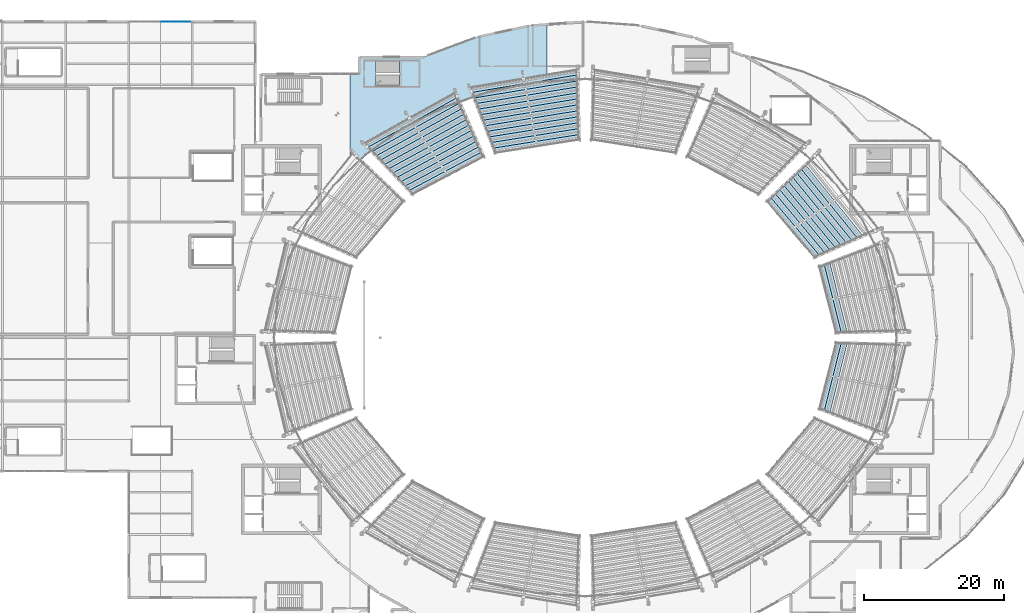
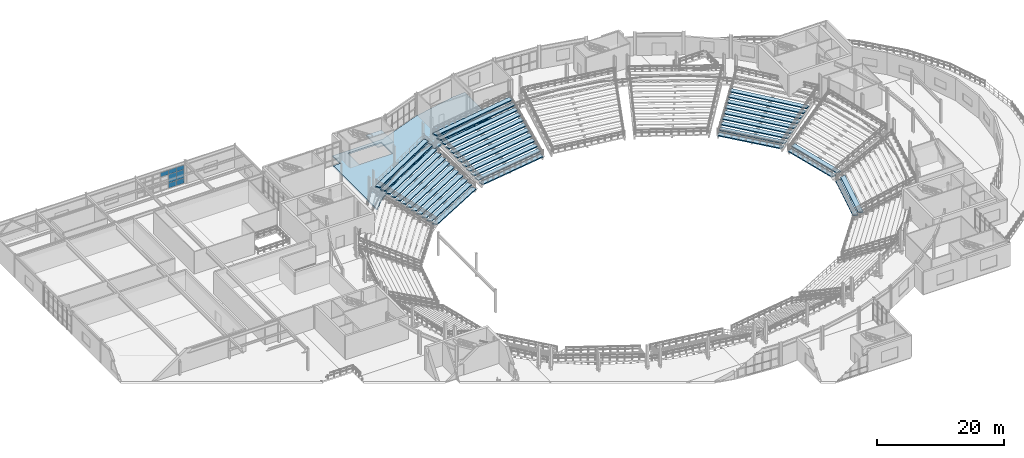
# One storey, part 49 of 81: 39 slabs, 7 plates, 2 elements without a shape of their own.
"""IFC4 building model written with IfcOpenShell, lengths in metres."""

import ifcopenshell
import ifcopenshell.guid

model = None  # the IFC model being written
_history = None  # IfcOwnerHistory: only IFC2X3 demands one
_inside = {}  # id of a spatial element -> (the spatial element, [elements in it])
_under = {}  # id of a project, library or spatial element -> (it, [spatial elements below it])
_declared = {}  # id of a project -> (the project, [libraries it declares])
_typed = {}  # id of a type object -> (the type object, [elements of that type])
_made_of = {}  # id of a material, layer set ... -> (it, [elements and type objects made of it])


def new_model(schema):
    """Start an empty IFC model of exactly this schema.

    Asked for "IFC4X3", IfcOpenShell would pick the latest addendum, in which some entities
    have other attributes; the version numbers below select the first issue.
    IFC2X3 requires an IfcOwnerHistory on every rooted entity: one is made here for all.
    """
    global model, _history
    if schema == "IFC4X3":
        model = ifcopenshell.file(schema_version=(4, 3, 0, 0))
    else:
        model = ifcopenshell.file(schema=schema)
    _inside.clear()
    _under.clear()
    _declared.clear()
    _typed.clear()
    _made_of.clear()
    _history = None
    if model.schema == "IFC2X3":
        org = make("IfcOrganization", Name="unknown")
        user = make(
            "IfcPersonAndOrganization",
            ThePerson=make("IfcPerson", FamilyName="unknown"),
            TheOrganization=org,
        )
        app = make(
            "IfcApplication",
            ApplicationDeveloper=org,
            Version="unknown",
            ApplicationFullName="unknown",
            ApplicationIdentifier="unknown",
        )
        _history = make(
            "IfcOwnerHistory",
            OwningUser=user,
            OwningApplication=app,
            ChangeAction="ADDED",
            CreationDate=0,
        )
    return model


def make(cls, **values):
    """One entity of the class cls with the attributes given. An attribute that is None is left unset."""
    return model.create_entity(
        cls, **{name: value for name, value in values.items() if value is not None}
    )


def rooted(cls, **values):
    """An entity with a GlobalId (a new one), such as an element, a storey or a relation."""
    return make(cls, GlobalId=ifcopenshell.guid.new(), OwnerHistory=_history, **values)


def si_unit(unit_type, name, prefix=None):
    """IfcSIUnit, for example si_unit("LENGTHUNIT", "METRE", prefix="MILLI")."""
    return make("IfcSIUnit", UnitType=unit_type, Prefix=prefix, Name=name)


def assignment(units):
    """IfcUnitAssignment: the units of a project."""
    return None if units is None else make("IfcUnitAssignment", Units=units)


def point(xyz):
    """IfcCartesianPoint."""
    return None if xyz is None else make("IfcCartesianPoint", Coordinates=xyz)


def direction(xyz):
    """IfcDirection."""
    return None if xyz is None else make("IfcDirection", DirectionRatios=xyz)


def frame(location, z_axis=None, x_axis=None):
    """IfcAxis2Placement3D, a coordinate frame: its origin and axes. An axis left out is left unset."""
    return make(
        "IfcAxis2Placement3D",
        Location=point(location),
        Axis=direction(z_axis),
        RefDirection=direction(x_axis),
    )


def frame_2d(location, x_axis=None):
    """IfcAxis2Placement2D, a coordinate frame in the plane: its origin and x axis."""
    return make(
        "IfcAxis2Placement2D", Location=point(location), RefDirection=direction(x_axis)
    )


def origin():
    """The frame at (0, 0, 0) with its axes left unset."""
    return frame((0.0, 0.0, 0.0))


def origin_2d():
    """The frame at (0, 0) in the plane with its x axis left unset."""
    return frame_2d((0.0, 0.0))


def place(relative_to, where):
    """IfcLocalPlacement: puts the frame where relative to a parent placement (None: the world)."""
    return make(
        "IfcLocalPlacement", PlacementRelTo=relative_to, RelativePlacement=where
    )


def context(
    kind, dimensions, precision=None, world=None, true_north=None, identifier=None
):
    """IfcGeometricRepresentationContext, for example the 3D "Model" context."""
    return make(
        "IfcGeometricRepresentationContext",
        ContextIdentifier=identifier,
        ContextType=kind,
        CoordinateSpaceDimension=dimensions,
        Precision=precision,
        WorldCoordinateSystem=world,
        TrueNorth=true_north,
    )


def subcontext(parent, identifier, kind, view, scale=None):
    """IfcGeometricRepresentationSubContext, for example "Body" below "Model"."""
    return make(
        "IfcGeometricRepresentationSubContext",
        ContextIdentifier=identifier,
        ContextType=kind,
        ParentContext=parent,
        TargetScale=scale,
        TargetView=view,
    )


def project(units=None, contexts=None):
    """IfcProject with its units and contexts."""
    return rooted(
        "IfcProject",
        Name="project",
        RepresentationContexts=contexts,
        UnitsInContext=assignment(units),
    )


def spatial(cls, under=None, at=None, **own):
    """A site, building, storey or space (cls), placed at a placement, below another one or the project."""
    s = rooted(cls, ObjectPlacement=at, **own)
    if under is not None:
        _under.setdefault(under.id(), (under, []))[1].append(s)
    return s


def polyline(points):
    """IfcPolyline through the points."""
    return make("IfcPolyline", Points=[point(p) for p in points])


def profile(cls, at=None, kind="AREA", **sizes):
    """A parametric profile (cls). Its sizes go by their IFC names, for example OverallWidth=200.0."""
    return make(cls, ProfileType=kind, Position=at, **sizes)


def rectangle(**sizes):
    """IfcRectangleProfileDef."""
    return profile("IfcRectangleProfileDef", **sizes)


def outline(outer, holes=None, kind="AREA"):
    """IfcArbitraryClosedProfileDef: a profile drawn as a closed curve; with holes, ...WithVoids."""
    if holes is None:
        return make("IfcArbitraryClosedProfileDef", ProfileType=kind, OuterCurve=outer)
    return make(
        "IfcArbitraryProfileDefWithVoids",
        ProfileType=kind,
        OuterCurve=outer,
        InnerCurves=holes,
    )


def extrude(swept, where, along, depth):
    """IfcExtrudedAreaSolid: the profile swept, set in the frame where, extruded along a direction by depth."""
    return make(
        "IfcExtrudedAreaSolid",
        SweptArea=swept,
        Position=where,
        ExtrudedDirection=direction(along),
        Depth=depth,
    )


def shape(context_of_items, identifier, shape_type, items):
    """IfcShapeRepresentation: the items that make up one representation, for example the "Body"."""
    return make(
        "IfcShapeRepresentation",
        ContextOfItems=context_of_items,
        RepresentationIdentifier=identifier,
        RepresentationType=shape_type,
        Items=items,
    )


def material(Name=None, Category=None):
    """IfcMaterial."""
    return make("IfcMaterial", Name=Name, Category=Category)


def layer(
    of_material, thickness, ventilated=None, Name=None, Category=None, Priority=None
):
    """IfcMaterialLayer: one layer of a wall or slab, of a material (None: an air gap)."""
    return make(
        "IfcMaterialLayer",
        Material=of_material,
        LayerThickness=thickness,
        IsVentilated=ventilated,
        Name=Name,
        Category=Category,
        Priority=Priority,
    )


def layer_set(layers, Name=None):
    """IfcMaterialLayerSet."""
    return make("IfcMaterialLayerSet", MaterialLayers=layers, LayerSetName=Name)


def made_of(thing, what):
    """Note that an element or type object is made of a material, layer set ...; save() writes the relation."""
    if what is not None:
        _made_of.setdefault(what.id(), (what, []))[1].append(thing)
    return thing


def type_object(cls, material=None, **own):
    """A type object (cls), such as IfcWallType, which elements share."""
    return made_of(rooted(cls, **own), material)


def element(
    cls,
    number,
    at=None,
    inside=None,
    cuts=None,
    type_object=None,
    material=None,
    context=None,
    identifier="Body",
    shape_type=None,
    held_by="IfcProductDefinitionShape",
    body=None,
    shapes=None,
    **own,
):
    """One element of the class cls, such as IfcWall. Its Tag is "e" and its number.

    at: its placement. inside: the storey or other place that contains it. cuts: it is an
    opening in that element (IfcRelVoidsElement). A single representation is given by context,
    identifier, shape_type and body (its items); several are given by shapes. held_by: the class
    of the entity that holds the representations. save() writes the other relations.
    """
    e = rooted(cls, Tag="e%d" % number, ObjectPlacement=at, **own)
    if body is not None:
        shapes = [shape(context, identifier, shape_type, body)]
    if shapes is not None:
        e.Representation = make(held_by, Representations=shapes)
    if inside is not None:
        _inside.setdefault(inside.id(), (inside, []))[1].append(e)
    if cuts is not None:
        rooted(
            "IfcRelVoidsElement", RelatingBuildingElement=cuts, RelatedOpeningElement=e
        )
    if type_object is not None:
        _typed.setdefault(type_object.id(), (type_object, []))[1].append(e)
    return made_of(e, material)


def aggregate(whole, parts):
    """IfcRelAggregates: a whole, such as a stair, and the parts it consists of."""
    return rooted("IfcRelAggregates", RelatingObject=whole, RelatedObjects=parts)


def save(model, path):
    """Write the relations noted so far, then the file.

    IfcRelAggregates (storeys below a building ...), IfcRelContainedInSpatialStructure (elements
    in a storey), IfcRelDefinesByType, IfcRelAssociatesMaterial and IfcRelDeclares: one each for
    every whole, place, type object, material and project.
    """
    for whole, parts in _under.values():
        aggregate(whole, parts)
    for where, things in _inside.values():
        rooted(
            "IfcRelContainedInSpatialStructure",
            RelatedElements=things,
            RelatingStructure=where,
        )
    for kind, things in _typed.values():
        rooted("IfcRelDefinesByType", RelatedObjects=things, RelatingType=kind)
    for what, things in _made_of.values():
        rooted("IfcRelAssociatesMaterial", RelatedObjects=things, RelatingMaterial=what)
    for by, libraries in _declared.values():
        rooted("IfcRelDeclares", RelatingContext=by, RelatedDefinitions=libraries)
    model.write(path)


model = new_model("IFC4")

# Units and contexts
model_context = context("Model", 3, precision=1e-05, world=origin(), true_north=direction((0.0, 1.0)))
body_context = subcontext(model_context, "Body", "Model", "MODEL_VIEW")
ifc_project = project(units=[si_unit("LENGTHUNIT", "METRE"), si_unit("AREAUNIT", "SQUARE_METRE"), si_unit("VOLUMEUNIT", "CUBIC_METRE"), si_unit("PLANEANGLEUNIT", "RADIAN"), si_unit("MASSUNIT", "GRAM", prefix="KILO")], contexts=[model_context])

# Site, building, storey
site_placement = place(None, origin())
site = spatial("IfcSite", under=ifc_project, at=site_placement, CompositionType="ELEMENT")
building_placement = place(site_placement, origin())
building = spatial("IfcBuilding", under=site, at=building_placement, Name="Glasvene Arena", CompositionType="ELEMENT")
storey_placement = place(building_placement, frame((0.0, 0.0, 15.0)))
storey = spatial("IfcBuildingStorey", under=building, at=storey_placement, Name="L03", CompositionType="ELEMENT", Elevation=15.0)

# Curtain wall, plates
ifc_material_1 = material(Name="Low-emissivity laminated double glazing", Category="glass")
curtain_wall_type = type_object("IfcCurtainWallType", Name="CW-FAC-L03-864x358", PredefinedType="USERDEFINED", material=ifc_material_1)
curtain_wall_placement = place(storey_placement, frame((27.170166015625, 118.0, 0.0)))
curtain_wall = element("IfcCurtainWall", 1, at=curtain_wall_placement, inside=storey, type_object=curtain_wall_type, Name="Unitised curtain wall CW-F-L03-150-315-1180-13", ObjectType="CURTAIN WALL", PredefinedType="USERDEFINED")
ifc_layer_1 = layer(ifc_material_1, 0.028076171875)
ifc_layer_set_1 = layer_set([ifc_layer_1], Name="Low-emissivity laminated double glazing")
plate_type = type_object("IfcPlateType", Name="CW-GLZ-28", PredefinedType="CURTAIN_PANEL", material=ifc_layer_set_1)
plate_1_placement = place(storey_placement, frame((32.208984375, 118.0, 2.76220703125), z_axis=(0.0, 0.0, 1.0), x_axis=(1.0, 0.0, 0.0)))
plate_1 = element("IfcPlate", 2, at=plate_1_placement, type_object=plate_type, Name="CW-032 panel 4.3", PredefinedType="CURTAIN_PANEL", context=body_context, shape_type="SweptSolid", body=[
    extrude(rectangle(XDim=1.3896484375, YDim=0.028076171875, at=origin_2d()), origin(), (0.0, 0.0, 1.0), 0.824951171875),
])
plate_2_placement = place(storey_placement, frame((33.6484375, 118.0, 0.10986328125), z_axis=(0.0, 0.0, 1.0), x_axis=(1.0, 0.0, 0.0)))
plate_2 = element("IfcPlate", 3, at=plate_2_placement, type_object=plate_type, Name="CW-032 panel 5.1", PredefinedType="CURTAIN_PANEL", context=body_context, shape_type="SweptSolid", body=[
    extrude(rectangle(XDim=1.3896484375, YDim=0.028076171875, at=origin_2d()), origin(), (0.0, 0.0, 1.0), 0.965087890625),
])
plate_3_placement = place(storey_placement, frame((33.6484375, 118.0, 1.125), z_axis=(0.0, 0.0, 1.0), x_axis=(1.0, 0.0, 0.0)))
plate_3 = element("IfcPlate", 4, at=plate_3_placement, type_object=plate_type, Name="CW-032 panel 5.2", PredefinedType="CURTAIN_PANEL", context=body_context, shape_type="SweptSolid", body=[
    extrude(rectangle(XDim=1.3896484375, YDim=0.028076171875, at=origin_2d()), origin(), (0.0, 0.0, 1.0), 1.5869140625),
])
plate_4_placement = place(storey_placement, frame((33.6484375, 118.0, 2.76220703125), z_axis=(0.0, 0.0, 1.0), x_axis=(1.0, 0.0, 0.0)))
plate_4 = element("IfcPlate", 5, at=plate_4_placement, type_object=plate_type, Name="CW-032 panel 5.3", PredefinedType="CURTAIN_PANEL", context=body_context, shape_type="SweptSolid", body=[
    extrude(rectangle(XDim=1.3896484375, YDim=0.028076171875, at=origin_2d()), origin(), (0.0, 0.0, 1.0), 0.824951171875),
])
plate_5_placement = place(storey_placement, frame((35.07568359375, 118.0, 0.10986328125), z_axis=(0.0, 0.0, 1.0), x_axis=(1.0, 0.0, 0.0)))
plate_5 = element("IfcPlate", 6, at=plate_5_placement, type_object=plate_type, Name="CW-032 panel 6.1", PredefinedType="CURTAIN_PANEL", context=body_context, shape_type="SweptSolid", body=[
    extrude(rectangle(XDim=1.36474609375, YDim=0.028076171875, at=origin_2d()), origin(), (0.0, 0.0, 1.0), 0.965087890625),
])
plate_6_placement = place(storey_placement, frame((35.07568359375, 118.0, 1.125), z_axis=(0.0, 0.0, 1.0), x_axis=(1.0, 0.0, 0.0)))
plate_6 = element("IfcPlate", 7, at=plate_6_placement, type_object=plate_type, Name="CW-032 panel 6.2", PredefinedType="CURTAIN_PANEL", context=body_context, shape_type="SweptSolid", body=[
    extrude(rectangle(XDim=1.36474609375, YDim=0.028076171875, at=origin_2d()), origin(), (0.0, 0.0, 1.0), 1.5869140625),
])
plate_7_placement = place(storey_placement, frame((35.07568359375, 118.0, 2.76220703125), z_axis=(0.0, 0.0, 1.0), x_axis=(1.0, 0.0, 0.0)))
plate_7 = element("IfcPlate", 8, at=plate_7_placement, type_object=plate_type, Name="CW-032 panel 6.3", PredefinedType="CURTAIN_PANEL", context=body_context, shape_type="SweptSolid", body=[
    extrude(rectangle(XDim=1.36474609375, YDim=0.028076171875, at=origin_2d()), origin(), (0.0, 0.0, 1.0), 0.824951171875),
])
aggregate(curtain_wall, [plate_1, plate_2, plate_3, plate_4, plate_5, plate_6, plate_7])

# Slab
ifc_material_2 = material(Name="Concrete C40/50", Category="concrete")
ifc_layer_2 = layer(ifc_material_2, 0.280029296875)
ifc_layer_set_2 = layer_set([ifc_layer_2], Name="Concrete C40/50")
slab_type_1 = type_object("IfcSlabType", Name="SL-CONC-280", PredefinedType="FLOOR", material=ifc_layer_set_2)
slab_1_placement = place(storey_placement, frame((71.385986328125, 109.436767578125, -0.280029296875)))
element("IfcSlab", 9, at=slab_1_placement, inside=storey, type_object=slab_type_1, Name="Structural floor slab L03 sector 4-3 (97)", PredefinedType="FLOOR", context=body_context, shape_type="SweptSolid", body=[
    extrude(outline(polyline([(-11.5859375, 3.51318359375), (-2.348876953125, 3.51318359375), (-2.08544921875, 3.658447265625), (5.163330078125, 6.36083984375), (12.792236328125, 8.00927734375), (15.114013671875, 8.173583984375), (15.114013671875, -0.09619140625), (13.69970703125, -0.1884765625), (6.955322265625, -1.532958984375), (0.547607421875, -3.73681640625), (-5.365966796875, -6.745849609375), (-10.64013671875, -10.486083984375), (-12.885986328125, -12.66943359375), (-12.885986328125, 1.11328125), (-11.5859375, 1.11328125), (-11.5859375, 3.51318359375)]), holes=[polyline([(-3.0859375, -0.63671875), (-3.0859375, 2.913330078125), (-9.18408203125, 2.913330078125), (-9.18408203125, -0.63671875), (-3.0859375, -0.63671875)])]), origin(), (0.0, 0.0, 1.0), 0.280029296875),
])

# Stair, slab
stair_type = type_object("IfcStairType", Name="ST-HT-450-165", PredefinedType="HALF_TURN_STAIR", material=ifc_material_2)
stair_placement = place(storey_placement, origin())
stair = element("IfcStair", 10, at=stair_placement, inside=storey, type_object=stair_type, Name="Protected escape stair ST-10 (L03 to L04)", PredefinedType="HALF_TURN_STAIR")
ifc_layer_3 = layer(ifc_material_2, 0.219970703125)
ifc_layer_set_3 = layer_set([ifc_layer_3], Name="Concrete C40/50")
slab_type_2 = type_object("IfcSlabType", Name="SL-LAND-220", PredefinedType="LANDING", material=ifc_layer_set_3)
slab_2_placement = place(storey_placement, frame((66.97998046875, 110.574951171875, 2.030029296875)))
slab_2 = element("IfcSlab", 11, at=slab_2_placement, type_object=slab_type_2, Name="Protected escape stair ST-10 (L03 to L04) landing 1", PredefinedType="LANDING", context=body_context, shape_type="SweptSolid", body=[
    extrude(outline(polyline([(-1.419921875, -1.875), (1.419921875, -1.875), (1.419921875, 1.875), (-1.419921875, 1.875), (-1.419921875, -1.875)])), origin(), (0.0, 0.0, 1.0), 0.219970703125),
])
aggregate(stair, [slab_2])

# Slabs
ifc_material_3 = material(Name="Precast concrete C50/60", Category="concrete")
ifc_layer_4 = layer(ifc_material_3, 0.199951171875)
ifc_layer_set_4 = layer_set([ifc_layer_4], Name="Precast concrete C50/60")
slab_type_3 = type_object("IfcSlabType", Name="SL-TIER-UP", PredefinedType="USERDEFINED", material=ifc_layer_set_4)
slab_3_placement = place(storey_placement, frame((126.80126953125, 78.481201171875, -4.10009765625)))
element("IfcSlab", 12, at=slab_3_placement, inside=storey, type_object=slab_type_3, Name="Stand upper tier sector 01 row 01", ObjectType="SEATING TIER", PredefinedType="USERDEFINED", context=body_context, shape_type="SweptSolid", body=[
    extrude(outline(polyline([(0.78955078125, -4.84375), (-1.610595703125, 4.680419921875), (-0.818115234375, 4.98779296875), (1.639404296875, -4.824462890625), (0.78955078125, -4.84375)])), origin(), (0.0, 0.0, 1.0), 0.2001953125),
])
slab_4_placement = place(storey_placement, frame((127.62255859375, 78.64453125, -3.6201171875)))
element("IfcSlab", 13, at=slab_4_placement, inside=storey, type_object=slab_type_3, Name="Stand upper tier sector 01 row 02", ObjectType="SEATING TIER", PredefinedType="USERDEFINED", context=body_context, shape_type="SweptSolid", body=[
    extrude(outline(polyline([(0.818115234375, -4.98779296875), (-1.639404296875, 4.824462890625), (-0.846923828125, 5.1318359375), (1.667724609375, -4.968505859375), (0.818115234375, -4.98779296875)])), origin(), (0.0, 0.0, 1.0), 0.2001953125),
])
slab_5_placement = place(storey_placement, frame((121.503173828125, 88.609130859375, -4.10009765625)))
element("IfcSlab", 14, at=slab_5_placement, inside=storey, type_object=slab_type_3, Name="Stand upper tier sector 02 row 01", ObjectType="SEATING TIER", PredefinedType="USERDEFINED", context=body_context, shape_type="SweptSolid", body=[
    extrude(outline(polyline([(3.0693359375, -4.26953125), (-3.765625, 3.8046875), (-3.15087890625, 4.391845703125), (3.84716796875, -3.926513671875), (3.0693359375, -4.26953125)])), origin(), (0.0, 0.0, 1.0), 0.2001953125),
])
slab_6_placement = place(storey_placement, frame((122.19921875, 89.074462890625, -3.6201171875)))
element("IfcSlab", 15, at=slab_6_placement, inside=storey, type_object=slab_type_3, Name="Stand upper tier sector 02 row 02", ObjectType="SEATING TIER", PredefinedType="USERDEFINED", context=body_context, shape_type="SweptSolid", body=[
    extrude(outline(polyline([(3.151123046875, -4.391845703125), (-3.846923828125, 3.926513671875), (-3.232421875, 4.513916015625), (3.9287109375, -4.048828125), (3.151123046875, -4.391845703125)])), origin(), (0.0, 0.0, 1.0), 0.2001953125),
])
slab_7_placement = place(storey_placement, frame((122.8955078125, 89.53955078125, -3.139892578125)))
element("IfcSlab", 16, at=slab_7_placement, inside=storey, type_object=slab_type_3, Name="Stand upper tier sector 02 row 03", ObjectType="SEATING TIER", PredefinedType="USERDEFINED", context=body_context, shape_type="SweptSolid", body=[
    extrude(outline(polyline([(3.232421875, -4.513916015625), (-3.9287109375, 4.048828125), (-3.314208984375, 4.635986328125), (4.01025390625, -4.1708984375), (3.232421875, -4.513916015625)])), origin(), (0.0, 0.0, 1.0), 0.199951171875),
])
slab_8_placement = place(storey_placement, frame((123.591552734375, 90.004638671875, -2.659912109375)))
element("IfcSlab", 17, at=slab_8_placement, inside=storey, type_object=slab_type_3, Name="Stand upper tier sector 02 row 04", ObjectType="SEATING TIER", PredefinedType="USERDEFINED", context=body_context, shape_type="SweptSolid", body=[
    extrude(outline(polyline([(3.314208984375, -4.635986328125), (-4.01025390625, 4.1708984375), (-3.395751953125, 4.758056640625), (4.091796875, -4.29296875), (3.314208984375, -4.635986328125)])), origin(), (0.0, 0.0, 1.0), 0.199951171875),
])
slab_9_placement = place(storey_placement, frame((124.28759765625, 90.4697265625, -2.179931640625)))
element("IfcSlab", 18, at=slab_9_placement, inside=storey, type_object=slab_type_3, Name="Stand upper tier sector 02 row 05", ObjectType="SEATING TIER", PredefinedType="USERDEFINED", context=body_context, shape_type="SweptSolid", body=[
    extrude(outline(polyline([(3.395751953125, -4.758056640625), (-4.091796875, 4.29296875), (-3.477294921875, 4.88037109375), (4.173583984375, -4.4150390625), (3.395751953125, -4.758056640625)])), origin(), (0.0, 0.0, 1.0), 0.199951171875),
])
slab_10_placement = place(storey_placement, frame((124.983642578125, 90.934814453125, -1.699951171875)))
element("IfcSlab", 19, at=slab_10_placement, inside=storey, type_object=slab_type_3, Name="Stand upper tier sector 02 row 06", ObjectType="SEATING TIER", PredefinedType="USERDEFINED", context=body_context, shape_type="SweptSolid", body=[
    extrude(outline(polyline([(3.4775390625, -4.880126953125), (-4.17333984375, 4.415283203125), (-3.558837890625, 5.00244140625), (4.25537109375, -4.537109375), (3.4775390625, -4.880126953125)])), origin(), (0.0, 0.0, 1.0), 0.199951171875),
])
slab_11_placement = place(storey_placement, frame((125.679931640625, 91.400146484375, -1.219970703125)))
element("IfcSlab", 20, at=slab_11_placement, inside=storey, type_object=slab_type_3, Name="Stand upper tier sector 02 row 07", ObjectType="SEATING TIER", PredefinedType="USERDEFINED", context=body_context, shape_type="SweptSolid", body=[
    extrude(outline(polyline([(3.55908203125, -5.00244140625), (-4.255126953125, 4.537109375), (-3.640625, 5.124267578125), (4.336669921875, -4.659423828125), (3.55908203125, -5.00244140625)])), origin(), (0.0, 0.0, 1.0), 0.199951171875),
])
slab_12_placement = place(storey_placement, frame((126.3759765625, 91.865234375, -0.739990234375)))
element("IfcSlab", 21, at=slab_12_placement, inside=storey, type_object=slab_type_3, Name="Stand upper tier sector 02 row 08", ObjectType="SEATING TIER", PredefinedType="USERDEFINED", context=body_context, shape_type="SweptSolid", body=[
    extrude(outline(polyline([(3.640625, -5.12451171875), (-4.336669921875, 4.6591796875), (-3.72216796875, 5.24658203125), (4.418212890625, -4.781494140625), (3.640625, -5.12451171875)])), origin(), (0.0, 0.0, 1.0), 0.199951171875),
])
slab_13_placement = place(storey_placement, frame((127.072021484375, 92.330322265625, -0.260009765625)))
element("IfcSlab", 22, at=slab_13_placement, inside=storey, type_object=slab_type_3, Name="Stand upper tier sector 02 row 09", ObjectType="SEATING TIER", PredefinedType="USERDEFINED", context=body_context, shape_type="SweptSolid", body=[
    extrude(outline(polyline([(3.72216796875, -5.24658203125), (-4.418212890625, 4.781494140625), (-3.8037109375, 5.36865234375), (4.5, -4.903564453125), (3.72216796875, -5.24658203125)])), origin(), (0.0, 0.0, 1.0), 0.199951171875),
])
slab_14_placement = place(storey_placement, frame((85.07763671875, 100.55615234375, -4.10009765625)))
element("IfcSlab", 23, at=slab_14_placement, inside=storey, type_object=slab_type_3, Name="Stand upper tier sector 05 row 01", ObjectType="SEATING TIER", PredefinedType="USERDEFINED", context=body_context, shape_type="SweptSolid", body=[
    extrude(outline(polyline([(6.11474609375, 0.53662109375), (-5.951416015625, -1.35791015625), (-6.2587890625, -0.5654296875), (6.095458984375, 1.38623046875), (6.11474609375, 0.53662109375)])), origin(), (0.0, 0.0, 1.0), 0.2001953125),
])
slab_15_placement = place(storey_placement, frame((84.914306640625, 101.377197265625, -3.6201171875)))
element("IfcSlab", 24, at=slab_15_placement, inside=storey, type_object=slab_type_3, Name="Stand upper tier sector 05 row 02", ObjectType="SEATING TIER", PredefinedType="USERDEFINED", context=body_context, shape_type="SweptSolid", body=[
    extrude(outline(polyline([(6.2587890625, 0.565185546875), (-6.095458984375, -1.386474609375), (-6.40283203125, -0.593994140625), (6.239501953125, 1.4150390625), (6.2587890625, 0.565185546875)])), origin(), (0.0, 0.0, 1.0), 0.2001953125),
])
slab_16_placement = place(storey_placement, frame((84.7509765625, 102.1982421875, -3.139892578125)))
element("IfcSlab", 25, at=slab_16_placement, inside=storey, type_object=slab_type_3, Name="Stand upper tier sector 05 row 03", ObjectType="SEATING TIER", PredefinedType="USERDEFINED", context=body_context, shape_type="SweptSolid", body=[
    extrude(outline(polyline([(6.40283203125, 0.593994140625), (-6.239501953125, -1.4150390625), (-6.546875, -0.62255859375), (6.383544921875, 1.44384765625), (6.40283203125, 0.593994140625)])), origin(), (0.0, 0.0, 1.0), 0.199951171875),
])
slab_17_placement = place(storey_placement, frame((84.587646484375, 103.01953125, -2.659912109375)))
element("IfcSlab", 26, at=slab_17_placement, inside=storey, type_object=slab_type_3, Name="Stand upper tier sector 05 row 04", ObjectType="SEATING TIER", PredefinedType="USERDEFINED", context=body_context, shape_type="SweptSolid", body=[
    extrude(outline(polyline([(6.546875, 0.62255859375), (-6.383544921875, -1.44384765625), (-6.691162109375, -0.6513671875), (6.527587890625, 1.472412109375), (6.546875, 0.62255859375)])), origin(), (0.0, 0.0, 1.0), 0.199951171875),
])
slab_18_placement = place(storey_placement, frame((84.42431640625, 103.840576171875, -2.179931640625)))
element("IfcSlab", 27, at=slab_18_placement, inside=storey, type_object=slab_type_3, Name="Stand upper tier sector 05 row 05", ObjectType="SEATING TIER", PredefinedType="USERDEFINED", context=body_context, shape_type="SweptSolid", body=[
    extrude(outline(polyline([(6.69091796875, 0.6513671875), (-6.52783203125, -1.472412109375), (-6.8349609375, -0.679931640625), (6.671630859375, 1.501220703125), (6.69091796875, 0.6513671875)])), origin(), (0.0, 0.0, 1.0), 0.199951171875),
])
slab_19_placement = place(storey_placement, frame((84.260986328125, 104.661865234375, -1.699951171875)))
element("IfcSlab", 28, at=slab_19_placement, inside=storey, type_object=slab_type_3, Name="Stand upper tier sector 05 row 06", ObjectType="SEATING TIER", PredefinedType="USERDEFINED", context=body_context, shape_type="SweptSolid", body=[
    extrude(outline(polyline([(6.8349609375, 0.679931640625), (-6.671630859375, -1.501220703125), (-6.97900390625, -0.708740234375), (6.815673828125, 1.529541015625), (6.8349609375, 0.679931640625)])), origin(), (0.0, 0.0, 1.0), 0.199951171875),
])
slab_20_placement = place(storey_placement, frame((84.09765625, 105.48291015625, -1.219970703125)))
element("IfcSlab", 29, at=slab_20_placement, inside=storey, type_object=slab_type_3, Name="Stand upper tier sector 05 row 07", ObjectType="SEATING TIER", PredefinedType="USERDEFINED", context=body_context, shape_type="SweptSolid", body=[
    extrude(outline(polyline([(6.97900390625, 0.70849609375), (-6.815673828125, -1.52978515625), (-7.123046875, -0.7373046875), (6.959716796875, 1.558349609375), (6.97900390625, 0.70849609375)])), origin(), (0.0, 0.0, 1.0), 0.199951171875),
])
slab_21_placement = place(storey_placement, frame((83.934326171875, 106.303955078125, -0.739990234375)))
element("IfcSlab", 30, at=slab_21_placement, inside=storey, type_object=slab_type_3, Name="Stand upper tier sector 05 row 08", ObjectType="SEATING TIER", PredefinedType="USERDEFINED", context=body_context, shape_type="SweptSolid", body=[
    extrude(outline(polyline([(7.123046875, 0.7373046875), (-6.959716796875, -1.558349609375), (-7.267333984375, -0.765869140625), (7.103759765625, 1.587158203125), (7.123046875, 0.7373046875)])), origin(), (0.0, 0.0, 1.0), 0.199951171875),
])
slab_22_placement = place(storey_placement, frame((83.77099609375, 107.125244140625, -0.260009765625)))
element("IfcSlab", 31, at=slab_22_placement, inside=storey, type_object=slab_type_3, Name="Stand upper tier sector 05 row 09", ObjectType="SEATING TIER", PredefinedType="USERDEFINED", context=body_context, shape_type="SweptSolid", body=[
    extrude(outline(polyline([(7.26708984375, 0.765869140625), (-7.10400390625, -1.587158203125), (-7.411376953125, -0.794677734375), (7.247802734375, 1.615478515625), (7.26708984375, 0.765869140625)])), origin(), (0.0, 0.0, 1.0), 0.199951171875),
])
slab_23_placement = place(storey_placement, frame((83.607666015625, 107.9462890625, 0.219970703125)))
element("IfcSlab", 32, at=slab_23_placement, inside=storey, type_object=slab_type_3, Name="Stand upper tier sector 05 row 10", ObjectType="SEATING TIER", PredefinedType="USERDEFINED", context=body_context, shape_type="SweptSolid", body=[
    extrude(outline(polyline([(7.4111328125, 0.79443359375), (-7.248046875, -1.61572265625), (-7.55517578125, -0.8232421875), (7.391845703125, 1.644287109375), (7.4111328125, 0.79443359375)])), origin(), (0.0, 0.0, 1.0), 0.199951171875),
])
slab_24_placement = place(storey_placement, frame((83.4443359375, 108.767333984375, 0.699951171875)))
element("IfcSlab", 33, at=slab_24_placement, inside=storey, type_object=slab_type_3, Name="Stand upper tier sector 05 row 11", ObjectType="SEATING TIER", PredefinedType="USERDEFINED", context=body_context, shape_type="SweptSolid", body=[
    extrude(outline(polyline([(7.55517578125, 0.8232421875), (-7.391845703125, -1.644287109375), (-7.69921875, -0.851806640625), (7.535888671875, 1.673095703125), (7.55517578125, 0.8232421875)])), origin(), (0.0, 0.0, 1.0), 0.199951171875),
])
slab_25_placement = place(storey_placement, frame((83.281005859375, 109.58837890625, 1.179931640625)))
element("IfcSlab", 34, at=slab_25_placement, inside=storey, type_object=slab_type_3, Name="Stand upper tier sector 05 row 12", ObjectType="SEATING TIER", PredefinedType="USERDEFINED", context=body_context, shape_type="SweptSolid", body=[
    extrude(outline(polyline([(7.69921875, 0.85205078125), (-7.535888671875, -1.6728515625), (-7.843505859375, -0.88037109375), (7.679931640625, 1.70166015625), (7.69921875, 0.85205078125)])), origin(), (0.0, 0.0, 1.0), 0.199951171875),
])
slab_26_placement = place(storey_placement, frame((72.28662109375, 96.36083984375, -4.10009765625)))
element("IfcSlab", 35, at=slab_26_placement, inside=storey, type_object=slab_type_3, Name="Stand upper tier sector 06 row 01", ObjectType="SEATING TIER", PredefinedType="USERDEFINED", context=body_context, shape_type="SweptSolid", body=[
    extrude(outline(polyline([(5.34716796875, 2.349609375), (-4.882080078125, -3.04541015625), (-5.46923828125, -2.430908203125), (5.004150390625, 3.127197265625), (5.34716796875, 2.349609375)])), origin(), (0.0, 0.0, 1.0), 0.2001953125),
])
slab_27_placement = place(storey_placement, frame((71.821533203125, 97.05712890625, -3.6201171875)))
element("IfcSlab", 36, at=slab_27_placement, inside=storey, type_object=slab_type_3, Name="Stand upper tier sector 06 row 02", ObjectType="SEATING TIER", PredefinedType="USERDEFINED", context=body_context, shape_type="SweptSolid", body=[
    extrude(outline(polyline([(5.46923828125, 2.430908203125), (-5.004150390625, -3.127197265625), (-5.591552734375, -2.5126953125), (5.126220703125, 3.208740234375), (5.46923828125, 2.430908203125)])), origin(), (0.0, 0.0, 1.0), 0.2001953125),
])
slab_28_placement = place(storey_placement, frame((71.3564453125, 97.753173828125, -3.139892578125)))
element("IfcSlab", 37, at=slab_28_placement, inside=storey, type_object=slab_type_3, Name="Stand upper tier sector 06 row 03", ObjectType="SEATING TIER", PredefinedType="USERDEFINED", context=body_context, shape_type="SweptSolid", body=[
    extrude(outline(polyline([(5.59130859375, 2.5126953125), (-5.12646484375, -3.208740234375), (-5.713623046875, -2.59423828125), (5.248291015625, 3.290283203125), (5.59130859375, 2.5126953125)])), origin(), (0.0, 0.0, 1.0), 0.199951171875),
])
slab_29_placement = place(storey_placement, frame((70.89111328125, 98.44921875, -2.659912109375)))
element("IfcSlab", 38, at=slab_29_placement, inside=storey, type_object=slab_type_3, Name="Stand upper tier sector 06 row 04", ObjectType="SEATING TIER", PredefinedType="USERDEFINED", context=body_context, shape_type="SweptSolid", body=[
    extrude(outline(polyline([(5.713623046875, 2.59423828125), (-5.248291015625, -3.290283203125), (-5.83544921875, -2.67578125), (5.37060546875, 3.3720703125), (5.713623046875, 2.59423828125)])), origin(), (0.0, 0.0, 1.0), 0.199951171875),
])
slab_30_placement = place(storey_placement, frame((70.426025390625, 99.1455078125, -2.179931640625)))
element("IfcSlab", 39, at=slab_30_placement, inside=storey, type_object=slab_type_3, Name="Stand upper tier sector 06 row 05", ObjectType="SEATING TIER", PredefinedType="USERDEFINED", context=body_context, shape_type="SweptSolid", body=[
    extrude(outline(polyline([(5.835693359375, 2.67578125), (-5.370361328125, -3.3720703125), (-5.957763671875, -2.757568359375), (5.49267578125, 3.453369140625), (5.835693359375, 2.67578125)])), origin(), (0.0, 0.0, 1.0), 0.199951171875),
])
slab_31_placement = place(storey_placement, frame((69.9609375, 99.841552734375, -1.699951171875)))
element("IfcSlab", 40, at=slab_31_placement, inside=storey, type_object=slab_type_3, Name="Stand upper tier sector 06 row 06", ObjectType="SEATING TIER", PredefinedType="USERDEFINED", context=body_context, shape_type="SweptSolid", body=[
    extrude(outline(polyline([(5.957763671875, 2.75732421875), (-5.49267578125, -3.45361328125), (-6.079833984375, -2.839111328125), (5.61474609375, 3.53515625), (5.957763671875, 2.75732421875)])), origin(), (0.0, 0.0, 1.0), 0.199951171875),
])
slab_32_placement = place(storey_placement, frame((69.495849609375, 100.53759765625, -1.219970703125)))
element("IfcSlab", 41, at=slab_32_placement, inside=storey, type_object=slab_type_3, Name="Stand upper tier sector 06 row 07", ObjectType="SEATING TIER", PredefinedType="USERDEFINED", context=body_context, shape_type="SweptSolid", body=[
    extrude(outline(polyline([(6.079833984375, 2.839111328125), (-5.61474609375, -3.53515625), (-6.2021484375, -2.920654296875), (5.73681640625, 3.61669921875), (6.079833984375, 2.839111328125)])), origin(), (0.0, 0.0, 1.0), 0.199951171875),
])
slab_33_placement = place(storey_placement, frame((69.03076171875, 101.23388671875, -0.739990234375)))
element("IfcSlab", 42, at=slab_33_placement, inside=storey, type_object=slab_type_3, Name="Stand upper tier sector 06 row 08", ObjectType="SEATING TIER", PredefinedType="USERDEFINED", context=body_context, shape_type="SweptSolid", body=[
    extrude(outline(polyline([(6.201904296875, 2.92041015625), (-5.737060546875, -3.616943359375), (-6.32421875, -3.002197265625), (5.85888671875, 3.6982421875), (6.201904296875, 2.92041015625)])), origin(), (0.0, 0.0, 1.0), 0.199951171875),
])
slab_34_placement = place(storey_placement, frame((68.565673828125, 101.929931640625, -0.260009765625)))
element("IfcSlab", 43, at=slab_34_placement, inside=storey, type_object=slab_type_3, Name="Stand upper tier sector 06 row 09", ObjectType="SEATING TIER", PredefinedType="USERDEFINED", context=body_context, shape_type="SweptSolid", body=[
    extrude(outline(polyline([(6.323974609375, 3.002197265625), (-5.859130859375, -3.6982421875), (-6.4462890625, -3.083740234375), (5.98095703125, 3.77978515625), (6.323974609375, 3.002197265625)])), origin(), (0.0, 0.0, 1.0), 0.199951171875),
])
slab_35_placement = place(storey_placement, frame((68.100341796875, 102.6259765625, 0.219970703125)))
element("IfcSlab", 44, at=slab_35_placement, inside=storey, type_object=slab_type_3, Name="Stand upper tier sector 06 row 10", ObjectType="SEATING TIER", PredefinedType="USERDEFINED", context=body_context, shape_type="SweptSolid", body=[
    extrude(outline(polyline([(6.4462890625, 3.083740234375), (-5.98095703125, -3.77978515625), (-6.568359375, -3.165283203125), (6.103271484375, 3.861572265625), (6.4462890625, 3.083740234375)])), origin(), (0.0, 0.0, 1.0), 0.199951171875),
])
slab_36_placement = place(storey_placement, frame((67.63525390625, 103.322021484375, 0.699951171875)))
element("IfcSlab", 45, at=slab_36_placement, inside=storey, type_object=slab_type_3, Name="Stand upper tier sector 06 row 11", ObjectType="SEATING TIER", PredefinedType="USERDEFINED", context=body_context, shape_type="SweptSolid", body=[
    extrude(outline(polyline([(6.568359375, 3.16552734375), (-6.103271484375, -3.861328125), (-6.6904296875, -3.246826171875), (6.225341796875, 3.943115234375), (6.568359375, 3.16552734375)])), origin(), (0.0, 0.0, 1.0), 0.199951171875),
])
slab_37_placement = place(storey_placement, frame((67.170166015625, 104.018310546875, 1.179931640625)))
element("IfcSlab", 46, at=slab_37_placement, inside=storey, type_object=slab_type_3, Name="Stand upper tier sector 06 row 12", ObjectType="SEATING TIER", PredefinedType="USERDEFINED", context=body_context, shape_type="SweptSolid", body=[
    extrude(outline(polyline([(6.6904296875, 3.246826171875), (-6.225341796875, -3.943115234375), (-6.8125, -3.32861328125), (6.347412109375, 4.024658203125), (6.6904296875, 3.246826171875)])), origin(), (0.0, 0.0, 1.0), 0.199951171875),
])
slab_38_placement = place(storey_placement, frame((126.80126953125, 67.518798828125, -4.10009765625)))
element("IfcSlab", 47, at=slab_38_placement, inside=storey, type_object=slab_type_3, Name="Stand upper tier sector 16 row 01", ObjectType="SEATING TIER", PredefinedType="USERDEFINED", context=body_context, shape_type="SweptSolid", body=[
    extrude(outline(polyline([(-1.610595703125, -4.680419921875), (0.78955078125, 4.84375), (1.639404296875, 4.824462890625), (-0.818115234375, -4.98779296875), (-1.610595703125, -4.680419921875)])), origin(), (0.0, 0.0, 1.0), 0.2001953125),
])
slab_39_placement = place(storey_placement, frame((127.62255859375, 67.35546875, -3.6201171875)))
element("IfcSlab", 48, at=slab_39_placement, inside=storey, type_object=slab_type_3, Name="Stand upper tier sector 16 row 02", ObjectType="SEATING TIER", PredefinedType="USERDEFINED", context=body_context, shape_type="SweptSolid", body=[
    extrude(outline(polyline([(-1.639404296875, -4.824462890625), (0.818115234375, 4.98779296875), (1.667724609375, 4.968505859375), (-0.846923828125, -5.1318359375), (-1.639404296875, -4.824462890625)])), origin(), (0.0, 0.0, 1.0), 0.2001953125),
])

save(model, "model.ifc")
